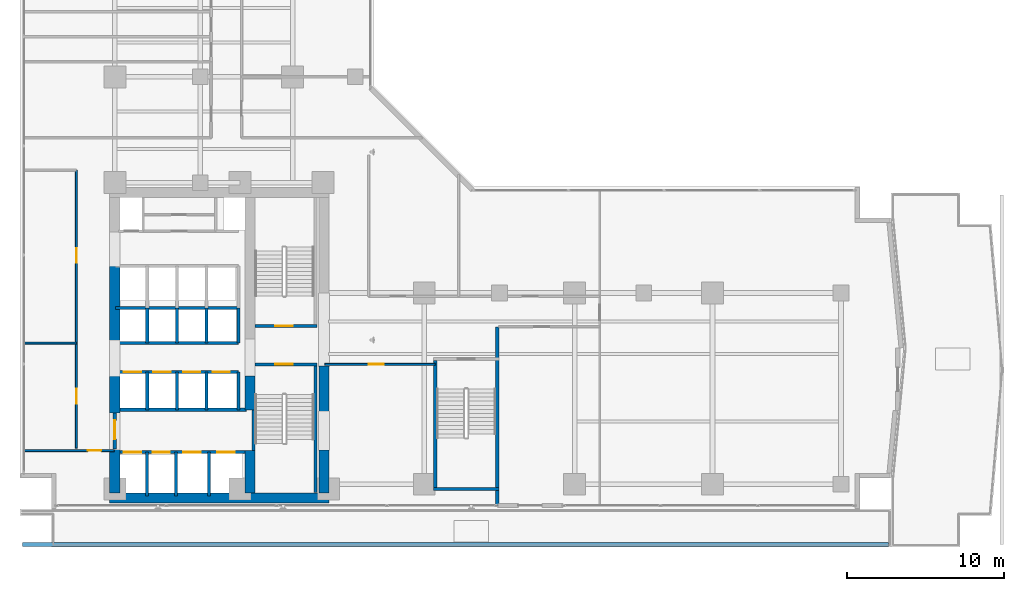
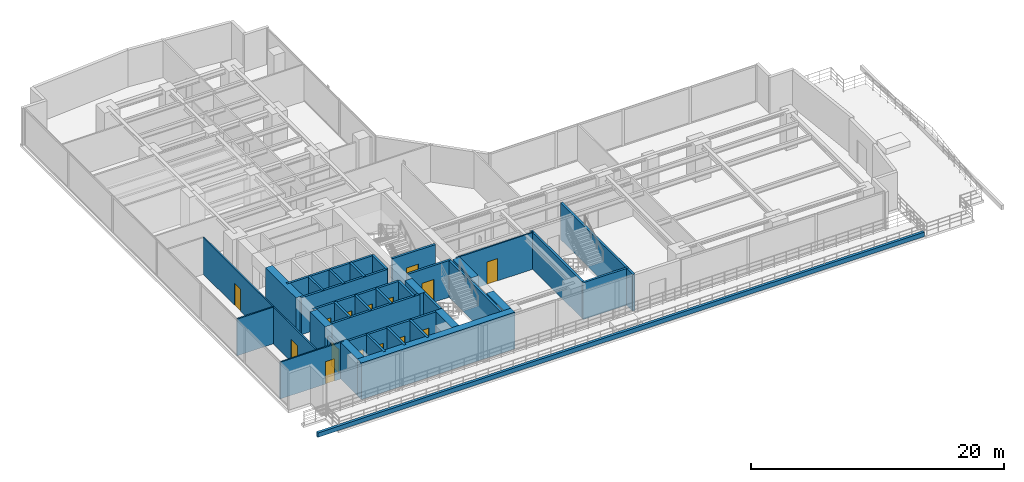
# One storey, part 18 of 26: 37 walls, 15 doors, 15 openings.
"""IFC4 building model written with IfcOpenShell, lengths in metres."""

from ifc_helpers import new_model, si_unit, direction, frame, frame_2d, origin, place, context, subcontext, project, spatial, rectangle, extrude, material, layer, layer_set, type_object, element, fill, save


model = new_model("IFC4")

# Units and contexts
model_context = context("Model", 3, precision=1e-05, world=origin(), true_north=direction((0.0, 1.0)))
body_context = subcontext(model_context, "Body", "Model", "MODEL_VIEW")
ifc_project = project(units=[si_unit("LENGTHUNIT", "METRE"), si_unit("AREAUNIT", "SQUARE_METRE"), si_unit("VOLUMEUNIT", "CUBIC_METRE"), si_unit("PLANEANGLEUNIT", "RADIAN"), si_unit("MASSUNIT", "GRAM", prefix="KILO")], contexts=[model_context])

# Site, building, storey
site_placement = place(None, origin())
site = spatial("IfcSite", under=ifc_project, at=site_placement, CompositionType="ELEMENT")
building_placement = place(site_placement, origin())
building = spatial("IfcBuilding", under=site, at=building_placement, Name="Kolvaren Waterfront Exchange", CompositionType="ELEMENT")
storey_placement = place(building_placement, frame((0.0, 0.0, 87.89990234375)))
storey = spatial("IfcBuildingStorey", under=building, at=storey_placement, Name="L22", CompositionType="ELEMENT", Elevation=87.89990234375)

# Wall, opening, door
ifc_material_1 = material(Name="Precast concrete C40/50", Category="concrete")
ifc_layer_1 = layer(ifc_material_1, 0.199951171875, Name="Precast concrete C40/50")
ifc_layer_set_1 = layer_set([ifc_layer_1], Name="Precast concrete C40/50")
wall_type_1 = type_object("IfcWallType", Name="ARC-FIRE-200", PredefinedType="PARTITIONING", material=ifc_layer_set_1)
wall_1_placement = place(storey_placement, frame((16.39990234375, 12.85009765625, 0.0), z_axis=(0.0, 0.0, 1.0), x_axis=(1.0, 0.0, 0.0)))
wall_1 = element("IfcWall", 1, at=wall_1_placement, inside=storey, type_object=wall_type_1, Name="L22 interior wall PW-L22-ST1-THROAT-S", PredefinedType="PARTITIONING", context=body_context, shape_type="SweptSolid", body=[
    extrude(rectangle(XDim=3.960205078125, YDim=0.199951171875, at=frame_2d((1.97998046875, 0.0))), origin(), (0.0, 0.0, 1.0), 3.5400390625),
])
opening_1_placement = place(wall_1_placement, frame((1.3037109375, 0.0, 0.0)))
opening_1 = element("IfcOpeningElement", 2, at=opening_1_placement, cuts=wall_1, Name="Opening FD2", PredefinedType="OPENING", context=body_context, shape_type="SweptSolid", body=[
    extrude(rectangle(XDim=1.10009765625, YDim=2.199951171875, at=frame_2d((0.550048828125, 1.10009765625))), frame((0.0, 0.10986328125, 0.0), z_axis=(0.0, -1.0, 0.0), x_axis=(1.0, 0.0, 0.0)), (0.0, 0.0, 1.0), 0.219970703125),
])
ifc_material_2 = material(Name="Pressed steel smoke-seal fire door", Category="steel")
door_type_1 = type_object("IfcDoorType", Name="ARC-FD-1100", OperationType="NOTDEFINED", PredefinedType="DOOR", material=ifc_material_2)
door_1_placement = place(opening_1_placement, frame((1.10009765625, 0.0, 0.0), z_axis=(0.0, 0.0, 1.0), x_axis=(-1.0, 0.0, 0.0)))
door_1 = element("IfcDoor", 3, at=door_1_placement, inside=storey, type_object=door_type_1, Name="L22 door DR-L22-ST1-IN (FD2)", OperationType="SINGLE_SWING_LEFT", OverallHeight=2.199951171875, OverallWidth=1.10009765625, PredefinedType="DOOR", context=body_context, shape_type="SweptSolid", body=[
    extrude(rectangle(XDim=1.10009765625, YDim=2.199951171875, at=frame_2d((0.550048828125, 1.10009765625))), frame((0.0, 0.02490234375, 0.0), z_axis=(0.0, -1.0, 0.0), x_axis=(1.0, 0.0, 0.0)), (0.0, 0.0, 1.0), 0.050048828125),
])
fill(opening_1, door_1)

wall_2_placement = place(storey_placement, frame((16.409912109375, 15.300048828125, 0.0), z_axis=(0.0, 0.0, 1.0), x_axis=(1.0, 0.0, 0.0)))
wall_2 = element("IfcWall", 4, at=wall_2_placement, inside=storey, type_object=wall_type_1, Name="L22 interior wall PW-L22-ST2-THROAT-N", PredefinedType="PARTITIONING", context=body_context, shape_type="SweptSolid", body=[
    extrude(rectangle(XDim=3.9501953125, YDim=0.199951171875, at=frame_2d((1.97509765625, 0.0))), origin(), (0.0, 0.0, 1.0), 3.5400390625),
])
opening_2_placement = place(wall_2_placement, frame((1.293701171875, 0.0, 0.0)))
opening_2 = element("IfcOpeningElement", 5, at=opening_2_placement, cuts=wall_2, Name="Opening FD2", PredefinedType="OPENING", context=body_context, shape_type="SweptSolid", body=[
    extrude(rectangle(XDim=1.10009765625, YDim=2.199951171875, at=frame_2d((0.550048828125, 1.10009765625))), frame((0.0, 0.10986328125, 0.0), z_axis=(0.0, -1.0, 0.0), x_axis=(1.0, 0.0, 0.0)), (0.0, 0.0, 1.0), 0.219970703125),
])
door_2_placement = place(opening_2_placement, origin())
door_2 = element("IfcDoor", 6, at=door_2_placement, inside=storey, type_object=door_type_1, Name="L22 door DR-L22-ST2-IN (FD2)", OperationType="SINGLE_SWING_RIGHT", OverallHeight=2.199951171875, OverallWidth=1.10009765625, PredefinedType="DOOR", context=body_context, shape_type="SweptSolid", body=[
    extrude(rectangle(XDim=1.10009765625, YDim=2.199951171875, at=frame_2d((0.550048828125, 1.10009765625))), frame((0.0, 0.02490234375, 0.0), z_axis=(0.0, -1.0, 0.0), x_axis=(1.0, 0.0, 0.0)), (0.0, 0.0, 1.0), 0.050048828125),
])
fill(opening_2, door_2)

# Wall
wall_3_placement = place(storey_placement, frame((7.5, 9.949951171875, 0.0), z_axis=(0.0, 0.0, 1.0), x_axis=(1.0, 0.0, 0.0)))
element("IfcWall", 7, at=wall_3_placement, inside=storey, type_object=wall_type_1, Name="L22 interior wall PW-L22-FF-N", PredefinedType="PARTITIONING", context=body_context, shape_type="SweptSolid", body=[
    extrude(rectangle(XDim=8.35009765625, YDim=0.199951171875, at=frame_2d((4.175048828125, 0.0))), origin(), (0.0, 0.0, 1.0), 3.5400390625),
])

# Wall, opening, door
wall_4_placement = place(storey_placement, frame((7.449951171875, 7.449951171875, 0.0), z_axis=(0.0, 0.0, 1.0), x_axis=(0.0, 1.0, 0.0)))
wall_4 = element("IfcWall", 8, at=wall_4_placement, inside=storey, type_object=wall_type_1, Name="L22 interior wall PW-L22-FF-W-DOOR", PredefinedType="PARTITIONING", context=body_context, shape_type="SweptSolid", body=[
    extrude(rectangle(XDim=2.300048828125, YDim=0.199951171875, at=frame_2d((1.14990234375, 0.0))), origin(), (0.0, 0.0, 1.0), 2.52001953125),
])
opening_3_placement = place(wall_4_placement, frame((0.63330078125, 0.0, 0.0)))
opening_3 = element("IfcOpeningElement", 9, at=opening_3_placement, cuts=wall_4, Name="Opening FD3", PredefinedType="OPENING", context=body_context, shape_type="SweptSolid", body=[
    extrude(rectangle(XDim=1.199951171875, YDim=2.25, at=frame_2d((0.60009765625, 1.125))), frame((0.0, 0.10986328125, 0.0), z_axis=(0.0, -1.0, 0.0), x_axis=(1.0, 0.0, 0.0)), (0.0, 0.0, 1.0), 0.219970703125),
])
ifc_material_3 = material(Name="Pressed steel fire door", Category="steel")
door_type_2 = type_object("IfcDoorType", Name="ARC-FD-1200", OperationType="NOTDEFINED", PredefinedType="DOOR", material=ifc_material_3)
door_3_placement = place(opening_3_placement, frame((1.199951171875, 0.0, 0.0), z_axis=(0.0, 0.0, 1.0), x_axis=(-1.0, 0.0, 0.0)))
door_3 = element("IfcDoor", 10, at=door_3_placement, inside=storey, type_object=door_type_2, Name="L22 door DR-L22-FF-OUT (FD3)", OperationType="SINGLE_SWING_RIGHT", OverallHeight=2.25, OverallWidth=1.199951171875, PredefinedType="DOOR", context=body_context, shape_type="SweptSolid", body=[
    extrude(rectangle(XDim=1.199951171875, YDim=2.25, at=frame_2d((0.60009765625, 1.125))), frame((0.0, 0.02490234375, 0.0), z_axis=(0.0, -1.0, 0.0), x_axis=(1.0, 0.0, 0.0)), (0.0, 0.0, 1.0), 0.050048828125),
])
fill(opening_3, door_3)

# Wall
ifc_layer_2 = layer(ifc_material_1, 0.239990234375, Name="Precast concrete C40/50")
ifc_layer_set_2 = layer_set([ifc_layer_2], Name="Precast concrete C40/50")
wall_type_2 = type_object("IfcWallType", Name="ARC-PARAPET-240", PredefinedType="PARAPET", material=ifc_layer_set_2)
wall_5_placement = place(storey_placement, frame((1.550048828125, 1.35009765625, 0.0), z_axis=(0.0, 0.0, 1.0), x_axis=(1.0, 0.0, 0.0)))
element("IfcWall", 11, at=wall_5_placement, inside=storey, type_object=wall_type_2, Name="L22 setback parapet kerb 2", PredefinedType="PARAPET", context=body_context, shape_type="SweptSolid", body=[
    extrude(rectangle(XDim=55.2900390625, YDim=0.239990234375, at=frame_2d((27.64501953125, 0.0))), origin(), (0.0, 0.0, 1.0), 0.420166015625),
])

# Wall, opening, door
ifc_material_4 = material(Name="Acoustic gypsum steel stud", Category="steel")
ifc_layer_3 = layer(ifc_material_4, 0.125, Name="Acoustic gypsum steel stud")
ifc_layer_set_3 = layer_set([ifc_layer_3], Name="Acoustic gypsum steel stud")
wall_type_3 = type_object("IfcWallType", Name="ARC-PART-125", PredefinedType="PARTITIONING", material=ifc_layer_set_3)
wall_6_placement = place(storey_placement, frame((1.639892578125, 7.35009765625, 0.0), z_axis=(0.0, 0.0, 1.0), x_axis=(1.0, 0.0, 0.0)))
wall_6 = element("IfcWall", 12, at=wall_6_placement, inside=storey, type_object=wall_type_3, Name="L22 interior wall PW-L22-SWC-N", PredefinedType="PARTITIONING", context=body_context, shape_type="SweptSolid", body=[
    extrude(rectangle(XDim=5.760009765625, YDim=0.125, at=frame_2d((2.8798828125, 0.0))), origin(), (0.0, 0.0, 1.0), 3.5400390625),
])
opening_4_placement = place(wall_6_placement, frame((4.086669921875, 0.0, 0.0)))
opening_4 = element("IfcOpeningElement", 13, at=opening_4_placement, cuts=wall_6, Name="Opening D01", PredefinedType="OPENING", context=body_context, shape_type="SweptSolid", body=[
    extrude(rectangle(XDim=0.85009765625, YDim=2.14990234375, at=frame_2d((0.425048828125, 1.074951171875))), frame((0.0, 0.072509765625, 0.0), z_axis=(0.0, -1.0, 0.0), x_axis=(1.0, 0.0, 0.0)), (0.0, 0.0, 1.0), 0.14501953125),
])
ifc_material_5 = material(Name="Oak veneer timber leaf", Category="wood")
door_type_3 = type_object("IfcDoorType", Name="ARC-DR-900", OperationType="NOTDEFINED", PredefinedType="DOOR", material=ifc_material_5)
door_4_placement = place(opening_4_placement, origin())
door_4 = element("IfcDoor", 14, at=door_4_placement, inside=storey, type_object=door_type_3, Name="L22 door DR-L22-SWC-D (D01)", OperationType="SINGLE_SWING_RIGHT", OverallHeight=2.14990234375, OverallWidth=0.85009765625, PredefinedType="DOOR", context=body_context, shape_type="SweptSolid", body=[
    extrude(rectangle(XDim=0.85009765625, YDim=2.14990234375, at=frame_2d((0.425048828125, 1.074951171875))), frame((0.0, 0.02490234375, 0.0), z_axis=(0.0, -1.0, 0.0), x_axis=(1.0, 0.0, 0.0)), (0.0, 0.0, 1.0), 0.050048828125),
])
fill(opening_4, door_4)

# Wall, openings, doors
wall_7_placement = place(storey_placement, frame((5.0, 7.5, 0.0), z_axis=(0.0, 0.0, 1.0), x_axis=(0.0, 1.0, 0.0)))
wall_7 = element("IfcWall", 15, at=wall_7_placement, inside=storey, type_object=wall_type_3, Name="L22 interior wall PW-L22-WFLANK-E", PredefinedType="PARTITIONING", context=body_context, shape_type="SweptSolid", body=[
    extrude(rectangle(XDim=17.75, YDim=0.125, at=frame_2d((8.875, 0.0))), origin(), (0.0, 0.0, 1.0), 3.5400390625),
])
opening_5_placement = place(wall_7_placement, frame((2.85009765625, 0.0, 0.0)))
opening_5 = element("IfcOpeningElement", 16, at=opening_5_placement, cuts=wall_7, Name="Opening D02", PredefinedType="OPENING", context=body_context, shape_type="SweptSolid", body=[
    extrude(rectangle(XDim=0.949951171875, YDim=2.14990234375, at=frame_2d((0.47509765625, 1.074951171875))), frame((0.0, 0.072509765625, 0.0), z_axis=(0.0, -1.0, 0.0), x_axis=(1.0, 0.0, 0.0)), (0.0, 0.0, 1.0), 0.14501953125),
])
opening_6_placement = place(wall_7_placement, frame((11.82080078125, 0.0, 0.0)))
opening_6 = element("IfcOpeningElement", 17, at=opening_6_placement, cuts=wall_7, Name="Opening D02", PredefinedType="OPENING", context=body_context, shape_type="SweptSolid", body=[
    extrude(rectangle(XDim=0.949951171875, YDim=2.14990234375, at=frame_2d((0.47509765625, 1.074951171875))), frame((0.0, 0.072509765625, 0.0), z_axis=(0.0, -1.0, 0.0), x_axis=(1.0, 0.0, 0.0)), (0.0, 0.0, 1.0), 0.14501953125),
])
ifc_material_6 = material(Name="Oak veneer acoustic timber", Category="wood")
door_type_4 = type_object("IfcDoorType", Name="ARC-DR-950", OperationType="NOTDEFINED", PredefinedType="DOOR", material=ifc_material_6)
door_5_placement = place(opening_5_placement, origin())
door_5 = element("IfcDoor", 18, at=door_5_placement, inside=storey, type_object=door_type_4, Name="L22 door DR-L22-WFL1-D (D02)", OperationType="SINGLE_SWING_LEFT", OverallHeight=2.14990234375, OverallWidth=0.949951171875, PredefinedType="DOOR", context=body_context, shape_type="SweptSolid", body=[
    extrude(rectangle(XDim=0.949951171875, YDim=2.14990234375, at=frame_2d((0.47509765625, 1.074951171875))), frame((0.0, 0.02490234375, 0.0), z_axis=(0.0, -1.0, 0.0), x_axis=(1.0, 0.0, 0.0)), (0.0, 0.0, 1.0), 0.050048828125),
])
fill(opening_5, door_5)
door_6_placement = place(opening_6_placement, origin())
door_6 = element("IfcDoor", 19, at=door_6_placement, inside=storey, type_object=door_type_4, Name="L22 door DR-L22-WFL2-D (D02)", OperationType="SINGLE_SWING_RIGHT", OverallHeight=2.14990234375, OverallWidth=0.949951171875, PredefinedType="DOOR", context=body_context, shape_type="SweptSolid", body=[
    extrude(rectangle(XDim=0.949951171875, YDim=2.14990234375, at=frame_2d((0.47509765625, 1.074951171875))), frame((0.0, 0.02490234375, 0.0), z_axis=(0.0, -1.0, 0.0), x_axis=(1.0, 0.0, 0.0)), (0.0, 0.0, 1.0), 0.050048828125),
])
fill(opening_6, door_6)

# Wall
wall_8_placement = place(storey_placement, frame((1.639892578125, 14.199951171875, 0.0), z_axis=(0.0, 0.0, 1.0), x_axis=(1.0, 0.0, 0.0)))
element("IfcWall", 20, at=wall_8_placement, inside=storey, type_object=wall_type_3, Name="L22 interior wall PW-L22-WFLANK-MID", PredefinedType="PARTITIONING", context=body_context, shape_type="SweptSolid", body=[
    extrude(rectangle(XDim=3.360107421875, YDim=0.125, at=frame_2d((1.68017578125, 0.0))), origin(), (0.0, 0.0, 1.0), 3.5400390625),
])

# Wall, opening, door
wall_9_placement = place(storey_placement, frame((20.85009765625, 12.85009765625, 0.0), z_axis=(0.0, 0.0, 1.0), x_axis=(1.0, 0.0, 0.0)))
wall_9 = element("IfcWall", 21, at=wall_9_placement, inside=storey, type_object=wall_type_3, Name="L22 interior wall PW-L22-SWST3-N", PredefinedType="PARTITIONING", context=body_context, shape_type="SweptSolid", body=[
    extrude(rectangle(XDim=7.0498046875, YDim=0.125, at=frame_2d((3.52490234375, 0.0))), origin(), (0.0, 0.0, 1.0), 3.5400390625),
])
opening_7_placement = place(wall_9_placement, frame((2.800048828125, 0.0, 0.0)))
opening_7 = element("IfcOpeningElement", 22, at=opening_7_placement, cuts=wall_9, Name="Opening D02", PredefinedType="OPENING", context=body_context, shape_type="SweptSolid", body=[
    extrude(rectangle(XDim=0.949951171875, YDim=2.14990234375, at=frame_2d((0.47509765625, 1.074951171875))), frame((0.0, 0.072509765625, 0.0), z_axis=(0.0, -1.0, 0.0), x_axis=(1.0, 0.0, 0.0)), (0.0, 0.0, 1.0), 0.14501953125),
])
door_7_placement = place(opening_7_placement, origin())
door_7 = element("IfcDoor", 23, at=door_7_placement, inside=storey, type_object=door_type_4, Name="L22 door DR-L22-SWST3-D (D02)", OperationType="SINGLE_SWING_LEFT", OverallHeight=2.14990234375, OverallWidth=0.949951171875, PredefinedType="DOOR", context=body_context, shape_type="SweptSolid", body=[
    extrude(rectangle(XDim=0.949951171875, YDim=2.14990234375, at=frame_2d((0.47509765625, 1.074951171875))), frame((0.0, 0.02490234375, 0.0), z_axis=(0.0, -1.0, 0.0), x_axis=(1.0, 0.0, 0.0)), (0.0, 0.0, 1.0), 0.050048828125),
])
fill(opening_7, door_7)

# Walls
ifc_material_7 = material(Name="Concrete C40/50", Category="concrete")
ifc_layer_4 = layer(ifc_material_7, 0.199951171875, Name="Concrete C40/50")
ifc_layer_set_4 = layer_set([ifc_layer_4], Name="Concrete C40/50")
wall_type_4 = type_object("IfcWallType", Name="ARC-SHAFT-200", PredefinedType="PARTITIONING", material=ifc_layer_set_4)
wall_10_placement = place(storey_placement, frame((16.300048828125, 7.360107421875, 0.0), z_axis=(0.0, 0.0, 1.0), x_axis=(0.0, 1.0, 0.0)))
element("IfcWall", 24, at=wall_10_placement, inside=storey, type_object=wall_type_4, Name="L22 structural stairwell wall PW-L22-ST1-W", PredefinedType="SHEAR", context=body_context, shape_type="SweptSolid", body=[
    extrude(rectangle(XDim=2.579833984375, YDim=0.199951171875, at=frame_2d((1.2900390625, 0.0))), origin(), (0.0, 0.0, 1.0), 3.5400390625),
])
wall_11_placement = place(storey_placement, frame((20.260009765625, 4.659912109375, 0.0), z_axis=(0.0, 0.0, 1.0), x_axis=(0.0, 1.0, 0.0)))
element("IfcWall", 25, at=wall_11_placement, inside=storey, type_object=wall_type_4, Name="L22 structural stairwell wall PW-L22-ST1-E", PredefinedType="SHEAR", context=body_context, shape_type="SweptSolid", body=[
    extrude(rectangle(XDim=8.090087890625, YDim=0.199951171875, at=frame_2d((4.044921875, 0.0))), origin(), (0.0, 0.0, 1.0), 3.5400390625),
])
wall_12_placement = place(storey_placement, frame((27.89990234375, 5.0, 0.0), z_axis=(0.0, 0.0, 1.0), x_axis=(0.0, 1.0, 0.0)))
element("IfcWall", 26, at=wall_12_placement, inside=storey, type_object=wall_type_4, Name="L22 structural stairwell wall PW-L22-ST3-W", PredefinedType="SHEAR", context=body_context, shape_type="SweptSolid", body=[
    extrude(rectangle(XDim=8.10009765625, YDim=0.199951171875, at=frame_2d((4.050048828125, 0.0))), origin(), (0.0, 0.0, 1.0), 3.5400390625),
])
wall_13_placement = place(storey_placement, frame((31.860107421875, 3.840087890625, 0.0), z_axis=(0.0, 0.0, 1.0), x_axis=(0.0, 1.0, 0.0)))
element("IfcWall", 27, at=wall_13_placement, inside=storey, type_object=wall_type_4, Name="L22 structural stairwell wall PW-L22-ST3-E", PredefinedType="SHEAR", context=body_context, shape_type="SweptSolid", body=[
    extrude(rectangle(XDim=11.409912109375, YDim=0.199951171875, at=frame_2d((5.705078125, 0.0))), origin(), (0.0, 0.0, 1.0), 3.5400390625),
])
wall_14_placement = place(storey_placement, frame((27.800048828125, 4.89990234375, 0.0), z_axis=(0.0, 0.0, 1.0), x_axis=(1.0, 0.0, 0.0)))
element("IfcWall", 28, at=wall_14_placement, inside=storey, type_object=wall_type_4, Name="L22 structural stairwell wall PW-L22-ST3-S", PredefinedType="SHEAR", context=body_context, shape_type="SweptSolid", body=[
    extrude(rectangle(XDim=4.159912109375, YDim=0.199951171875, at=frame_2d((2.080078125, 0.0))), origin(), (0.0, 0.0, 1.0), 3.5400390625),
])

# Wall, openings, doors
wall_15_placement = place(storey_placement, frame((7.5, 7.25, 0.0), z_axis=(0.0, 0.0, 1.0), x_axis=(1.0, 0.0, 0.0)))
wall_15 = element("IfcWall", 29, at=wall_15_placement, inside=storey, type_object=wall_type_4, Name="L22 interior wall PW-L22-FF-S", PredefinedType="PARTITIONING", context=body_context, shape_type="SweptSolid", body=[
    extrude(rectangle(XDim=8.35009765625, YDim=0.199951171875, at=frame_2d((4.175048828125, 0.0))), origin(), (0.0, 0.0, 1.0), 3.5400390625),
])
opening_8_placement = place(wall_15_placement, frame((0.530029296875, 0.0, 0.0)))
opening_8 = element("IfcOpeningElement", 30, at=opening_8_placement, cuts=wall_15, Name="Opening LD1", PredefinedType="OPENING", context=body_context, shape_type="SweptSolid", body=[
    extrude(rectangle(XDim=1.10009765625, YDim=2.199951171875, at=frame_2d((0.550048828125, 1.10009765625))), frame((0.0, 0.10986328125, 0.0), z_axis=(0.0, -1.0, 0.0), x_axis=(1.0, 0.0, 0.0)), (0.0, 0.0, 1.0), 0.219970703125),
])
opening_9_placement = place(wall_15_placement, frame((2.3701171875, 0.0, 0.0)))
opening_9 = element("IfcOpeningElement", 31, at=opening_9_placement, cuts=wall_15, Name="Opening LD1", PredefinedType="OPENING", context=body_context, shape_type="SweptSolid", body=[
    extrude(rectangle(XDim=1.10009765625, YDim=2.199951171875, at=frame_2d((0.550048828125, 1.10009765625))), frame((0.0, 0.10986328125, 0.0), z_axis=(0.0, -1.0, 0.0), x_axis=(1.0, 0.0, 0.0)), (0.0, 0.0, 1.0), 0.219970703125),
])
opening_10_placement = place(wall_15_placement, frame((4.330078125, 0.0, 0.0)))
opening_10 = element("IfcOpeningElement", 32, at=opening_10_placement, cuts=wall_15, Name="Opening LD1", PredefinedType="OPENING", context=body_context, shape_type="SweptSolid", body=[
    extrude(rectangle(XDim=1.10009765625, YDim=2.199951171875, at=frame_2d((0.550048828125, 1.10009765625))), frame((0.0, 0.10986328125, 0.0), z_axis=(0.0, -1.0, 0.0), x_axis=(1.0, 0.0, 0.0)), (0.0, 0.0, 1.0), 0.219970703125),
])
opening_11_placement = place(wall_15_placement, frame((6.5, 0.0, 0.0)))
opening_11 = element("IfcOpeningElement", 33, at=opening_11_placement, cuts=wall_15, Name="Opening LD1", PredefinedType="OPENING", context=body_context, shape_type="SweptSolid", body=[
    extrude(rectangle(XDim=1.10009765625, YDim=2.199951171875, at=frame_2d((0.550048828125, 1.10009765625))), frame((0.0, 0.10986328125, 0.0), z_axis=(0.0, -1.0, 0.0), x_axis=(1.0, 0.0, 0.0)), (0.0, 0.0, 1.0), 0.219970703125),
])
ifc_material_8 = material(Name="Stainless steel sliding landing door", Category="steel")
door_type_5 = type_object("IfcDoorType", Name="ARC-LD-FF", OperationType="SLIDING_TO_LEFT", PredefinedType="DOOR", material=ifc_material_8)
door_8_placement = place(opening_8_placement, origin())
door_8 = element("IfcDoor", 34, at=door_8_placement, inside=storey, type_object=door_type_5, Name="L22 door LD-L22-FFL1 (LD1)", OperationType="SLIDING_TO_LEFT", OverallHeight=2.199951171875, OverallWidth=1.10009765625, PredefinedType="DOOR", context=body_context, shape_type="SweptSolid", body=[
    extrude(rectangle(XDim=1.10009765625, YDim=2.199951171875, at=frame_2d((0.550048828125, 1.10009765625))), frame((0.0, 0.02490234375, 0.0), z_axis=(0.0, -1.0, 0.0), x_axis=(1.0, 0.0, 0.0)), (0.0, 0.0, 1.0), 0.050048828125),
])
fill(opening_8, door_8)
door_9_placement = place(opening_9_placement, origin())
door_9 = element("IfcDoor", 35, at=door_9_placement, inside=storey, type_object=door_type_5, Name="L22 door LD-L22-FFL2 (LD1)", OperationType="SLIDING_TO_LEFT", OverallHeight=2.199951171875, OverallWidth=1.10009765625, PredefinedType="DOOR", context=body_context, shape_type="SweptSolid", body=[
    extrude(rectangle(XDim=1.10009765625, YDim=2.199951171875, at=frame_2d((0.550048828125, 1.10009765625))), frame((0.0, 0.02490234375, 0.0), z_axis=(0.0, -1.0, 0.0), x_axis=(1.0, 0.0, 0.0)), (0.0, 0.0, 1.0), 0.050048828125),
])
fill(opening_9, door_9)
door_10_placement = place(opening_10_placement, origin())
door_10 = element("IfcDoor", 36, at=door_10_placement, inside=storey, type_object=door_type_5, Name="L22 door LD-L22-GL1 (LD1)", OperationType="SLIDING_TO_LEFT", OverallHeight=2.199951171875, OverallWidth=1.10009765625, PredefinedType="DOOR", context=body_context, shape_type="SweptSolid", body=[
    extrude(rectangle(XDim=1.10009765625, YDim=2.199951171875, at=frame_2d((0.550048828125, 1.10009765625))), frame((0.0, 0.02490234375, 0.0), z_axis=(0.0, -1.0, 0.0), x_axis=(1.0, 0.0, 0.0)), (0.0, 0.0, 1.0), 0.050048828125),
])
fill(opening_10, door_10)
door_11_placement = place(opening_11_placement, origin())
door_11 = element("IfcDoor", 37, at=door_11_placement, inside=storey, type_object=door_type_5, Name="L22 door LD-L22-GL2 (LD1)", OperationType="SLIDING_TO_LEFT", OverallHeight=2.199951171875, OverallWidth=1.10009765625, PredefinedType="DOOR", context=body_context, shape_type="SweptSolid", body=[
    extrude(rectangle(XDim=1.10009765625, YDim=2.199951171875, at=frame_2d((0.550048828125, 1.10009765625))), frame((0.0, 0.02490234375, 0.0), z_axis=(0.0, -1.0, 0.0), x_axis=(1.0, 0.0, 0.0)), (0.0, 0.0, 1.0), 0.050048828125),
])
fill(opening_11, door_11)

# Walls
for number, where, z_axis, x_axis, name in (
    (38, (9.5, 4.449951171875, 0.0), (0.0, 0.0, 1.0), (0.0, 1.0, 0.0), "L22 interior wall PW-L22-SH1-DIV-95"),
    (39, (11.360107421875, 4.449951171875, 0.0), (0.0, 0.0, 1.0), (0.0, 1.0, 0.0), "L22 interior wall PW-L22-SH1-DIV-113"),
    (40, (13.4599609375, 4.449951171875, 0.0), (0.0, 0.0, 1.0), (0.0, 1.0, 0.0), "L22 interior wall PW-L22-SH1-DIV-134"),
):
    element("IfcWall", number, at=place(storey_placement, frame(where, z_axis=z_axis, x_axis=x_axis)), inside=storey, type_object=wall_type_4, Name=name, PredefinedType="PARTITIONING", context=body_context, shape_type="SweptSolid", body=[
        extrude(rectangle(XDim=2.800048828125, YDim=0.199951171875, at=frame_2d((1.39990234375, 0.0))), origin(), (0.0, 0.0, 1.0), 3.5400390625),
    ])

# Wall, openings, doors
wall_16_placement = place(storey_placement, frame((7.5, 12.360107421875, 0.0), z_axis=(0.0, 0.0, 1.0), x_axis=(1.0, 0.0, 0.0)))
wall_16 = element("IfcWall", 41, at=wall_16_placement, inside=storey, type_object=wall_type_4, Name="L22 interior wall PW-L22-PL-N", PredefinedType="PARTITIONING", context=body_context, shape_type="SweptSolid", body=[
    extrude(rectangle(XDim=7.85009765625, YDim=0.199951171875, at=frame_2d((3.925048828125, 0.0))), origin(), (0.0, 0.0, 1.0), 3.5400390625),
])
opening_12_placement = place(wall_16_placement, frame((0.530029296875, 0.0, 0.0)))
opening_12 = element("IfcOpeningElement", 42, at=opening_12_placement, cuts=wall_16, Name="Opening LD2", PredefinedType="OPENING", context=body_context, shape_type="SweptSolid", body=[
    extrude(rectangle(XDim=1.10009765625, YDim=2.199951171875, at=frame_2d((0.550048828125, 1.10009765625))), frame((0.0, 0.10986328125, 0.0), z_axis=(0.0, -1.0, 0.0), x_axis=(1.0, 0.0, 0.0)), (0.0, 0.0, 1.0), 0.219970703125),
])
opening_13_placement = place(wall_16_placement, frame((2.419921875, 0.0, 0.0)))
opening_13 = element("IfcOpeningElement", 43, at=opening_13_placement, cuts=wall_16, Name="Opening LD2", PredefinedType="OPENING", context=body_context, shape_type="SweptSolid", body=[
    extrude(rectangle(XDim=1.10009765625, YDim=2.199951171875, at=frame_2d((0.550048828125, 1.10009765625))), frame((0.0, 0.10986328125, 0.0), z_axis=(0.0, -1.0, 0.0), x_axis=(1.0, 0.0, 0.0)), (0.0, 0.0, 1.0), 0.219970703125),
])
opening_14_placement = place(wall_16_placement, frame((4.31005859375, 0.0, 0.0)))
opening_14 = element("IfcOpeningElement", 44, at=opening_14_placement, cuts=wall_16, Name="Opening LD2", PredefinedType="OPENING", context=body_context, shape_type="SweptSolid", body=[
    extrude(rectangle(XDim=1.10009765625, YDim=2.199951171875, at=frame_2d((0.550048828125, 1.10009765625))), frame((0.0, 0.10986328125, 0.0), z_axis=(0.0, -1.0, 0.0), x_axis=(1.0, 0.0, 0.0)), (0.0, 0.0, 1.0), 0.219970703125),
])
opening_15_placement = place(wall_16_placement, frame((6.199951171875, 0.0, 0.0)))
opening_15 = element("IfcOpeningElement", 45, at=opening_15_placement, cuts=wall_16, Name="Opening LD2", PredefinedType="OPENING", context=body_context, shape_type="SweptSolid", body=[
    extrude(rectangle(XDim=1.10009765625, YDim=2.199951171875, at=frame_2d((0.550048828125, 1.10009765625))), frame((0.0, 0.10986328125, 0.0), z_axis=(0.0, -1.0, 0.0), x_axis=(1.0, 0.0, 0.0)), (0.0, 0.0, 1.0), 0.219970703125),
])
ifc_material_9 = material(Name="Brushed bronze sliding landing door", Category="aluminium")
door_type_6 = type_object("IfcDoorType", Name="ARC-LD-PAX", OperationType="SLIDING_TO_LEFT", PredefinedType="DOOR", material=ifc_material_9)
door_12_placement = place(opening_12_placement, origin())
door_12 = element("IfcDoor", 46, at=door_12_placement, inside=storey, type_object=door_type_6, Name="L22 door LD-L22-PL1 (LD2)", OperationType="SLIDING_TO_LEFT", OverallHeight=2.199951171875, OverallWidth=1.10009765625, PredefinedType="DOOR", context=body_context, shape_type="SweptSolid", body=[
    extrude(rectangle(XDim=1.10009765625, YDim=2.199951171875, at=frame_2d((0.550048828125, 1.10009765625))), frame((0.0, 0.02490234375, 0.0), z_axis=(0.0, -1.0, 0.0), x_axis=(1.0, 0.0, 0.0)), (0.0, 0.0, 1.0), 0.050048828125),
])
fill(opening_12, door_12)
door_13_placement = place(opening_13_placement, origin())
door_13 = element("IfcDoor", 47, at=door_13_placement, inside=storey, type_object=door_type_6, Name="L22 door LD-L22-PL2 (LD2)", OperationType="SLIDING_TO_LEFT", OverallHeight=2.199951171875, OverallWidth=1.10009765625, PredefinedType="DOOR", context=body_context, shape_type="SweptSolid", body=[
    extrude(rectangle(XDim=1.10009765625, YDim=2.199951171875, at=frame_2d((0.550048828125, 1.10009765625))), frame((0.0, 0.02490234375, 0.0), z_axis=(0.0, -1.0, 0.0), x_axis=(1.0, 0.0, 0.0)), (0.0, 0.0, 1.0), 0.050048828125),
])
fill(opening_13, door_13)
door_14_placement = place(opening_14_placement, origin())
door_14 = element("IfcDoor", 48, at=door_14_placement, inside=storey, type_object=door_type_6, Name="L22 door LD-L22-PL3 (LD2)", OperationType="SLIDING_TO_LEFT", OverallHeight=2.199951171875, OverallWidth=1.10009765625, PredefinedType="DOOR", context=body_context, shape_type="SweptSolid", body=[
    extrude(rectangle(XDim=1.10009765625, YDim=2.199951171875, at=frame_2d((0.550048828125, 1.10009765625))), frame((0.0, 0.02490234375, 0.0), z_axis=(0.0, -1.0, 0.0), x_axis=(1.0, 0.0, 0.0)), (0.0, 0.0, 1.0), 0.050048828125),
])
fill(opening_14, door_14)
door_15_placement = place(opening_15_placement, origin())
door_15 = element("IfcDoor", 49, at=door_15_placement, inside=storey, type_object=door_type_6, Name="L22 door LD-L22-PL4 (LD2)", OperationType="SLIDING_TO_LEFT", OverallHeight=2.199951171875, OverallWidth=1.10009765625, PredefinedType="DOOR", context=body_context, shape_type="SweptSolid", body=[
    extrude(rectangle(XDim=1.10009765625, YDim=2.199951171875, at=frame_2d((0.550048828125, 1.10009765625))), frame((0.0, 0.02490234375, 0.0), z_axis=(0.0, -1.0, 0.0), x_axis=(1.0, 0.0, 0.0)), (0.0, 0.0, 1.0), 0.050048828125),
])
fill(opening_15, door_15)

# Walls
for number, where, z_axis, x_axis, name in (
    (50, (15.35009765625, 9.949951171875, 0.0), (0.0, 0.0, 1.0), (0.0, 1.0, 0.0), "L22 interior wall PW-L22-PL-E"),
    (51, (9.52001953125, 9.949951171875, 0.0), (0.0, 0.0, 1.0), (0.0, 1.0, 0.0), "L22 interior wall PW-L22-SH2-DIV-95"),
    (52, (11.409912109375, 9.949951171875, 0.0), (0.0, 0.0, 1.0), (0.0, 1.0, 0.0), "L22 interior wall PW-L22-SH2-DIV-114"),
    (53, (13.300048828125, 9.949951171875, 0.0), (0.0, 0.0, 1.0), (0.0, 1.0, 0.0), "L22 interior wall PW-L22-SH2-DIV-133"),
):
    element("IfcWall", number, at=place(storey_placement, frame(where, z_axis=z_axis, x_axis=x_axis)), inside=storey, type_object=wall_type_4, Name=name, PredefinedType="PARTITIONING", context=body_context, shape_type="SweptSolid", body=[
        extrude(rectangle(XDim=2.41015625, YDim=0.199951171875, at=frame_2d((1.205078125, 0.0))), origin(), (0.0, 0.0, 1.0), 3.5400390625),
    ])
for number, where, z_axis, x_axis, name in (
    (54, (7.5, 14.219970703125, 0.0), (0.0, 0.0, 1.0), (1.0, 0.0, 0.0), "L22 interior wall PW-L22-PM-S"),
    (55, (7.5, 16.449951171875, 0.0), (0.0, 0.0, 1.0), (1.0, 0.0, 0.0), "L22 interior wall PW-L22-PM-N"),
):
    element("IfcWall", number, at=place(storey_placement, frame(where, z_axis=z_axis, x_axis=x_axis)), inside=storey, type_object=wall_type_4, Name=name, PredefinedType="PARTITIONING", context=body_context, shape_type="SweptSolid", body=[
        extrude(rectangle(XDim=7.85009765625, YDim=0.199951171875, at=frame_2d((3.925048828125, 0.0))), origin(), (0.0, 0.0, 1.0), 3.5400390625),
    ])
for number, where, z_axis, x_axis, name in (
    (56, (15.35009765625, 14.219970703125, 0.0), (0.0, 0.0, 1.0), (0.0, 1.0, 0.0), "L22 interior wall PW-L22-PM-E"),
    (57, (9.52001953125, 14.219970703125, 0.0), (0.0, 0.0, 1.0), (0.0, 1.0, 0.0), "L22 interior wall PW-L22-SH3-DIV-95"),
    (58, (11.409912109375, 14.219970703125, 0.0), (0.0, 0.0, 1.0), (0.0, 1.0, 0.0), "L22 interior wall PW-L22-SH3-DIV-114"),
    (59, (13.300048828125, 14.219970703125, 0.0), (0.0, 0.0, 1.0), (0.0, 1.0, 0.0), "L22 interior wall PW-L22-SH3-DIV-133"),
):
    element("IfcWall", number, at=place(storey_placement, frame(where, z_axis=z_axis, x_axis=x_axis)), inside=storey, type_object=wall_type_4, Name=name, PredefinedType="PARTITIONING", context=body_context, shape_type="SweptSolid", body=[
        extrude(rectangle(XDim=2.22998046875, YDim=0.199951171875, at=frame_2d((1.114990234375, 0.0))), origin(), (0.0, 0.0, 1.0), 3.5400390625),
    ])
ifc_material_10 = material(Name="Concrete C60/75", Category="concrete")
ifc_layer_5 = layer(ifc_material_10, 0.64990234375, Name="Concrete C60/75")
ifc_layer_set_5 = layer_set([ifc_layer_5], Name="Concrete C60/75")
wall_type_5 = type_object("IfcWallType", Name="STR-CWALL-650", PredefinedType="SHEAR", material=ifc_layer_set_5)
wall_17_placement = place(storey_placement, frame((7.125, 4.324951171875, 0.0), z_axis=(0.0, 0.0, 1.0), x_axis=(1.0, 0.0, 0.0)))
element("IfcWall", 60, at=wall_17_placement, inside=storey, type_object=wall_type_5, Name="L22 rear-core shear wall S", PredefinedType="SHEAR", context=body_context, shape_type="SweptSolid", body=[
    extrude(rectangle(XDim=14.0, YDim=0.64990234375, at=frame_2d((7.0, 0.0))), origin(), (0.0, 0.0, 1.0), 3.5400390625),
])
wall_18_placement = place(storey_placement, frame((7.449951171875, 4.64990234375, 0.0), z_axis=(0.0, 0.0, 1.0), x_axis=(0.0, 1.0, 0.0)))
element("IfcWall", 61, at=wall_18_placement, inside=storey, type_object=wall_type_5, Name="L22 rear-core shear wall W1", PredefinedType="SHEAR", context=body_context, shape_type="SweptSolid", body=[
    extrude(rectangle(XDim=2.800048828125, YDim=0.64990234375, at=frame_2d((1.39990234375, 0.0))), origin(), (0.0, 0.0, 1.0), 3.5400390625),
])
wall_19_placement = place(storey_placement, frame((7.449951171875, 9.75, 0.0), z_axis=(0.0, 0.0, 1.0), x_axis=(0.0, 1.0, 0.0)))
element("IfcWall", 62, at=wall_19_placement, inside=storey, type_object=wall_type_5, Name="L22 rear-core shear wall W2A", PredefinedType="SHEAR", context=body_context, shape_type="SweptSolid", body=[
    extrude(rectangle(XDim=2.39990234375, YDim=0.64990234375, at=frame_2d((1.199951171875, 0.0))), origin(), (0.0, 0.0, 1.0), 3.5400390625),
])
wall_20_placement = place(storey_placement, frame((7.449951171875, 14.35009765625, 0.0), z_axis=(0.0, 0.0, 1.0), x_axis=(0.0, 1.0, 0.0)))
element("IfcWall", 63, at=wall_20_placement, inside=storey, type_object=wall_type_5, Name="L22 rear-core shear wall W2B", PredefinedType="SHEAR", context=body_context, shape_type="SweptSolid", body=[
    extrude(rectangle(XDim=4.809814453125, YDim=0.64990234375, at=frame_2d((2.40478515625, 0.0))), origin(), (0.0, 0.0, 1.0), 3.5400390625),
])
wall_21_placement = place(storey_placement, frame((20.800048828125, 4.64990234375, 0.0), z_axis=(0.0, 0.0, 1.0), x_axis=(0.0, 1.0, 0.0)))
element("IfcWall", 64, at=wall_21_placement, inside=storey, type_object=wall_type_5, Name="L22 rear-core shear wall E1", PredefinedType="SHEAR", context=body_context, shape_type="SweptSolid", body=[
    extrude(rectangle(XDim=2.75, YDim=0.64990234375, at=frame_2d((1.375, 0.0))), origin(), (0.0, 0.0, 1.0), 3.5400390625),
])
wall_22_placement = place(storey_placement, frame((20.800048828125, 9.800048828125, 0.0), z_axis=(0.0, 0.0, 1.0), x_axis=(0.0, 1.0, 0.0)))
element("IfcWall", 65, at=wall_22_placement, inside=storey, type_object=wall_type_5, Name="L22 rear-core shear wall E2", PredefinedType="SHEAR", context=body_context, shape_type="SweptSolid", body=[
    extrude(rectangle(XDim=2.949951171875, YDim=0.64990234375, at=frame_2d((1.47509765625, 0.0))), origin(), (0.0, 0.0, 1.0), 3.5400390625),
])
wall_23_placement = place(storey_placement, frame((16.074951171875, 4.64990234375, 0.0), z_axis=(0.0, 0.0, 1.0), x_axis=(0.0, 1.0, 0.0)))
element("IfcWall", 66, at=wall_23_placement, inside=storey, type_object=wall_type_5, Name="L22 rear-core shear wall M1", PredefinedType="SHEAR", context=body_context, shape_type="SweptSolid", body=[
    extrude(rectangle(XDim=2.7001953125, YDim=0.64990234375, at=frame_2d((1.35009765625, 0.0))), origin(), (0.0, 0.0, 1.0), 3.5400390625),
])
wall_24_placement = place(storey_placement, frame((16.074951171875, 9.949951171875, 0.0), z_axis=(0.0, 0.0, 1.0), x_axis=(0.0, 1.0, 0.0)))
element("IfcWall", 67, at=wall_24_placement, inside=storey, type_object=wall_type_5, Name="L22 rear-core shear wall M2", PredefinedType="SHEAR", context=body_context, shape_type="SweptSolid", body=[
    extrude(rectangle(XDim=2.150146484375, YDim=0.64990234375, at=frame_2d((1.0751953125, 0.0))), origin(), (0.0, 0.0, 1.0), 3.5400390625),
])

save(model, "model.ifc")
